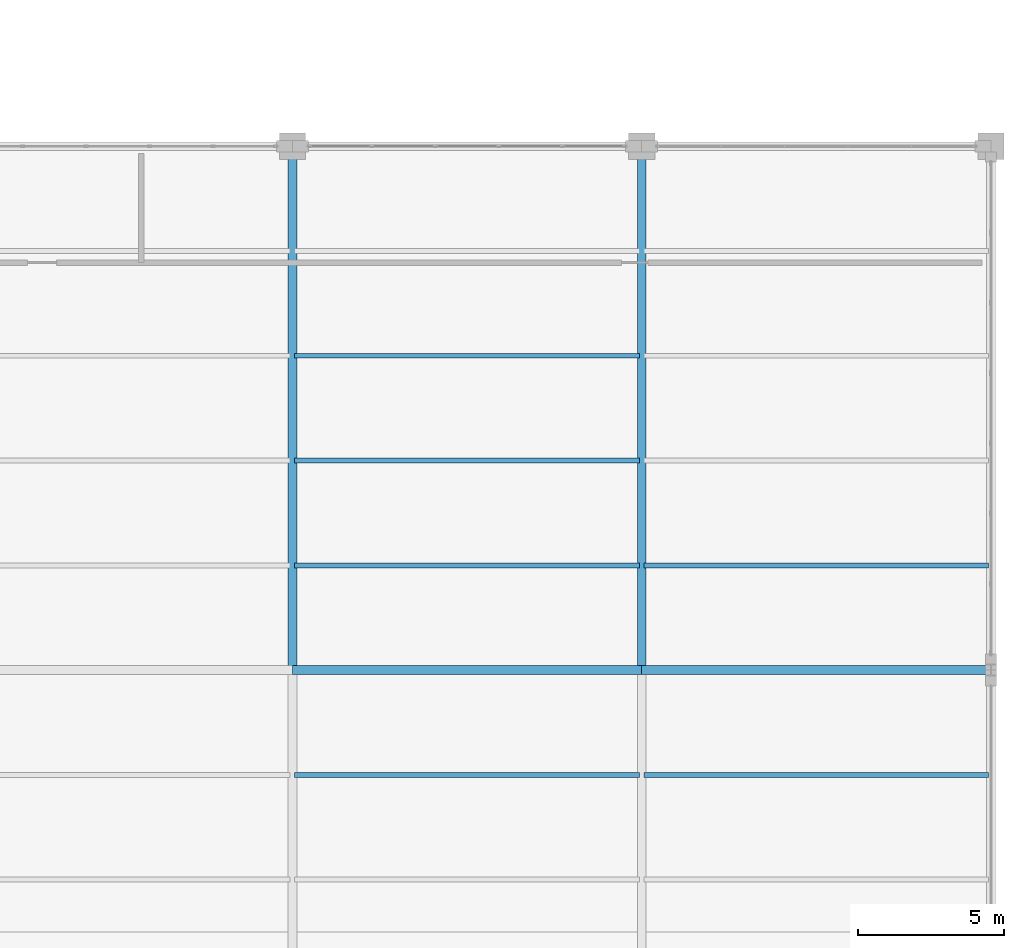
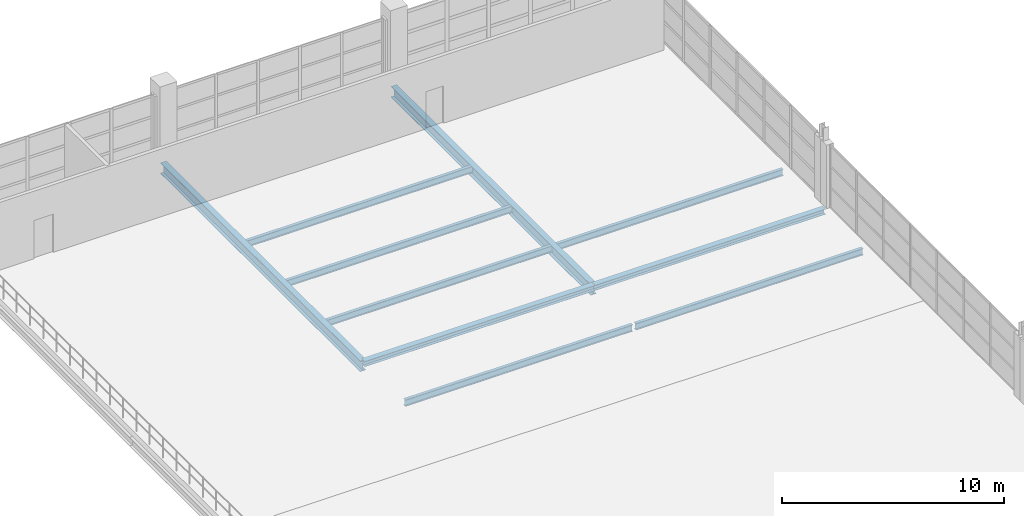
# One storey, part 89 of 158: 10 beams.
"""IFC4 building model written with IfcOpenShell, lengths in metres."""

from ifc_helpers import new_model, si_unit, direction, frame, origin, origin_2d, place, context, subcontext, project, spatial, i_section, extrude, material, material_profile, profile_set, type_object, element, save


model = new_model("IFC4")

# Units and contexts
model_context = context("Model", 3, precision=1e-05, world=origin(), true_north=direction((0.0, 1.0)))
body_context = subcontext(model_context, "Body", "Model", "MODEL_VIEW")
ifc_project = project(units=[si_unit("LENGTHUNIT", "METRE"), si_unit("AREAUNIT", "SQUARE_METRE"), si_unit("VOLUMEUNIT", "CUBIC_METRE"), si_unit("PLANEANGLEUNIT", "RADIAN"), si_unit("MASSUNIT", "GRAM", prefix="KILO")], contexts=[model_context])

# Site, building, storey
site_placement = place(None, origin())
site = spatial("IfcSite", under=ifc_project, at=site_placement, CompositionType="ELEMENT")
building_placement = place(site_placement, origin())
building = spatial("IfcBuilding", under=site, at=building_placement, Name="Zilviju Railside Exhibition Hall", CompositionType="ELEMENT")
storey_placement = place(building_placement, frame((0.0, 0.0, 4.199951171875)))
storey = spatial("IfcBuildingStorey", under=building, at=storey_placement, Name="L02", CompositionType="ELEMENT", Elevation=4.199951171875)

# Beams
ifc_material = material(Name="Steel S355J2", Category="steel")
ifc_material_profile_1 = material_profile(ifc_material, i_section(OverallWidth=0.300048828125, OverallDepth=0.2900390625, WebThickness=0.008544921875, FlangeThickness=0.013916015625, at=origin_2d()), Name="HEA 300")
ifc_profile_set_1 = profile_set([ifc_material_profile_1], Name="Steel S355J2")
beam_type_1 = type_object("IfcBeamType", Name="BM-HEA300", PredefinedType="SPANDREL", material=ifc_profile_set_1)
for number, where, z_axis, x_axis, name in (
    (1, (192.0, 36.0, -0.474853515625), (1.0, 0.0, 0.0), (0.0, 1.0, 0.0), "Primary Girder L02 Y=36.0 (192.0..204.0)"),
    (2, (204.0, 36.0, -0.474853515625), (1.0, 0.0, 0.0), (0.0, 1.0, 0.0), "Primary Girder L02 Y=36.0 (204.0..216.0)"),
):
    element("IfcBeam", number, at=place(storey_placement, frame(where, z_axis=z_axis, x_axis=x_axis)), inside=storey, type_object=beam_type_1, Name=name, PredefinedType="SPANDREL", context=body_context, shape_type="SweptSolid", body=[
        extrude(i_section(OverallWidth=0.300048828125, OverallDepth=0.2900390625, WebThickness=0.008544921875, FlangeThickness=0.013916015625, at=origin_2d()), origin(), (0.0, 0.0, 1.0), 12.0),
    ])
ifc_material_profile_2 = material_profile(ifc_material, i_section(OverallWidth=0.300048828125, OverallDepth=0.60009765625, WebThickness=0.015380859375, FlangeThickness=0.030029296875, at=origin_2d()), Name="HEB 600")
ifc_profile_set_2 = profile_set([ifc_material_profile_2], Name="Steel S355J2")
beam_type_2 = type_object("IfcBeamType", Name="BM-HEB600", PredefinedType="BEAM", material=ifc_profile_set_2)
for number, where, z_axis, x_axis, name in (
    (3, (192.0, 36.0, -0.6298828125), (0.0, 1.0, 0.0), (-1.0, 0.0, 0.0), "Transverse Girder L02 X=192.0 (36.0..54.0)"),
    (4, (204.0, 36.0, -0.6298828125), (0.0, 1.0, 0.0), (-1.0, 0.0, 0.0), "Transverse Girder L02 X=204.0 (36.0..54.0)"),
):
    element("IfcBeam", number, at=place(storey_placement, frame(where, z_axis=z_axis, x_axis=x_axis)), inside=storey, type_object=beam_type_2, Name=name, PredefinedType="BEAM", context=body_context, shape_type="SweptSolid", body=[
        extrude(i_section(OverallWidth=0.300048828125, OverallDepth=0.60009765625, WebThickness=0.015380859375, FlangeThickness=0.030029296875, at=origin_2d()), origin(), (0.0, 0.0, 1.0), 18.0),
    ])
ifc_material_profile_3 = material_profile(ifc_material, i_section(OverallWidth=0.169921875, OverallDepth=0.360107421875, WebThickness=0.008056640625, FlangeThickness=0.0126953125, at=origin_2d()), Name="IPE 360")
ifc_profile_set_3 = profile_set([ifc_material_profile_3], Name="Steel S355J2")
beam_type_3 = type_object("IfcBeamType", Name="BM-IPE360", PredefinedType="JOIST", material=ifc_profile_set_3)
for number, where, z_axis, x_axis, name in (
    (5, (192.080078125, 32.39990234375, -0.510009765625), (1.0, 0.0, 0.0), (0.0, 1.0, 0.0), "Composite Floor Joist L02 Y=32.40 (192.0..204.0)"),
    (6, (192.080078125, 39.60009765625, -0.510009765625), (1.0, 0.0, 0.0), (0.0, 1.0, 0.0), "Composite Floor Joist L02 Y=39.60 (192.0..204.0)"),
    (7, (192.080078125, 43.199951171875, -0.510009765625), (1.0, 0.0, 0.0), (0.0, 1.0, 0.0), "Composite Floor Joist L02 Y=43.20 (192.0..204.0)"),
    (8, (192.080078125, 46.800048828125, -0.510009765625), (1.0, 0.0, 0.0), (0.0, 1.0, 0.0), "Composite Floor Joist L02 Y=46.80 (192.0..204.0)"),
    (9, (204.080078125, 32.39990234375, -0.510009765625), (1.0, 0.0, 0.0), (0.0, 1.0, 0.0), "Composite Floor Joist L02 Y=32.40 (204.0..216.0)"),
    (10, (204.080078125, 39.60009765625, -0.510009765625), (1.0, 0.0, 0.0), (0.0, 1.0, 0.0), "Composite Floor Joist L02 Y=39.60 (204.0..216.0)"),
):
    element("IfcBeam", number, at=place(storey_placement, frame(where, z_axis=z_axis, x_axis=x_axis)), inside=storey, type_object=beam_type_3, Name=name, PredefinedType="JOIST", context=body_context, shape_type="SweptSolid", body=[
        extrude(i_section(OverallWidth=0.169921875, OverallDepth=0.360107421875, WebThickness=0.008056640625, FlangeThickness=0.0126953125, at=origin_2d()), origin(), (0.0, 0.0, 1.0), 11.83984375),
    ])

save(model, "model.ifc")
